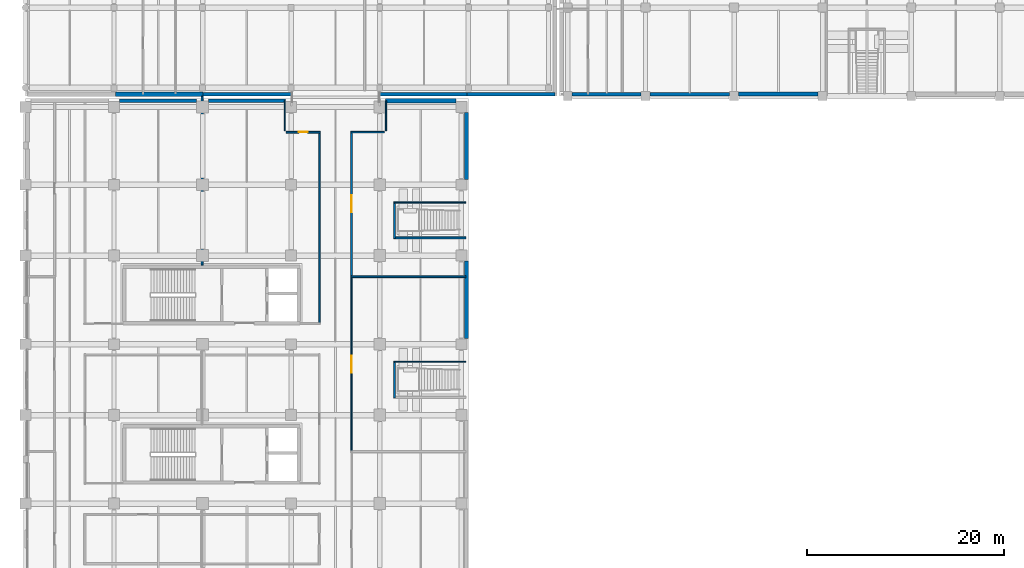
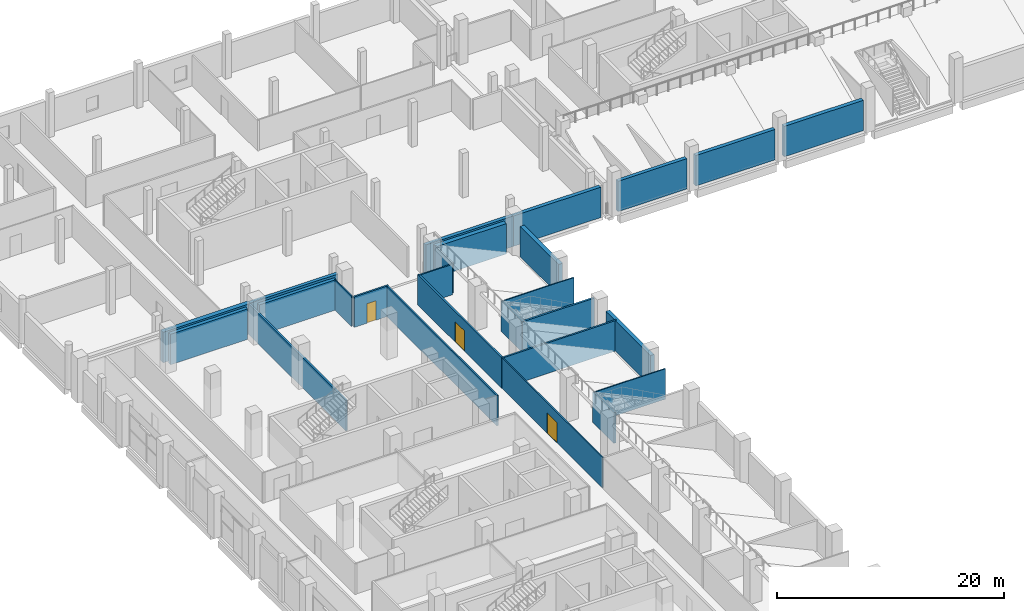
# One storey, part 58 of 100: 26 walls, 3 doors, 3 openings.
"""IFC4 building model written with IfcOpenShell, lengths in metres."""

from ifc_helpers import new_model, si_unit, direction, frame, frame_2d, origin, place, context, subcontext, project, spatial, rectangle, extrude, material, layer, layer_set, type_object, element, fill, save


model = new_model("IFC4")

# Units and contexts
model_context = context("Model", 3, precision=1e-05, world=origin(), true_north=direction((0.0, 1.0)))
body_context = subcontext(model_context, "Body", "Model", "MODEL_VIEW")
ifc_project = project(units=[si_unit("LENGTHUNIT", "METRE"), si_unit("AREAUNIT", "SQUARE_METRE"), si_unit("VOLUMEUNIT", "CUBIC_METRE"), si_unit("PLANEANGLEUNIT", "RADIAN"), si_unit("MASSUNIT", "GRAM", prefix="KILO"), si_unit("THERMODYNAMICTEMPERATUREUNIT", "KELVIN"), si_unit("POWERUNIT", "WATT")], contexts=[model_context])

# Site, building, storey
site_placement = place(None, origin())
site = spatial("IfcSite", under=ifc_project, at=site_placement, CompositionType="ELEMENT")
building_placement = place(site_placement, origin())
building = spatial("IfcBuilding", under=site, at=building_placement, Name="Sindhuravela Promenade Stadium", CompositionType="ELEMENT")
storey_placement = place(building_placement, frame((0.0, 0.0, 4.800048828125)))
storey = spatial("IfcBuildingStorey", under=building, at=storey_placement, Name="L01", CompositionType="ELEMENT", Elevation=4.800048828125)

# Walls
ifc_material_1 = material(Name="Terracotta clay brick masonry (15 MPa)", Category="masonry")
ifc_layer_1 = layer(ifc_material_1, 0.340087890625)
ifc_layer_set_1 = layer_set([ifc_layer_1], Name="Terracotta clay brick masonry (15 MPa)")
wall_type_1 = type_object("IfcWallType", Name="EX-WL-BRK340", PredefinedType="SOLIDWALL", material=ifc_layer_set_1)
wall_1_placement = place(storey_placement, frame((18.60498046875, 125.550048828125, 0.0), z_axis=(0.0, 0.0, 1.0), x_axis=(1.0, 0.0, 0.0)))
element("IfcWall", 1, at=wall_1_placement, inside=storey, type_object=wall_type_1, Name="Exterior masonry wall EW06 WEST L01", PredefinedType="SOLIDWALL", context=body_context, shape_type="SweptSolid", body=[
    extrude(rectangle(XDim=7.840087890625, YDim=0.340087890625, at=frame_2d((3.919921875, 0.0))), origin(), (0.0, 0.0, 1.0), 3.280029296875),
])
wall_2_placement = place(storey_placement, frame((27.0, 126.199951171875, 0.0), z_axis=(0.0, 0.0, 1.0), x_axis=(-1.0, 0.0, 0.0)))
element("IfcWall", 2, at=wall_2_placement, inside=storey, type_object=wall_type_1, Name="Exterior masonry wall EW06 Pavilion NW L01", PredefinedType="SOLIDWALL", context=body_context, shape_type="SweptSolid", body=[
    extrude(rectangle(XDim=8.933349609375, YDim=0.340087890625, at=frame_2d((4.466796875, 0.0))), origin(), (0.0, 0.0, 1.0), 3.280029296875),
])
ifc_layer_2 = layer(ifc_material_1, 0.360107421875)
ifc_layer_set_2 = layer_set([ifc_layer_2], Name="Terracotta clay brick masonry (15 MPa)")
wall_type_2 = type_object("IfcWallType", Name="EX-WL-BRK360", PredefinedType="SOLIDWALL", material=ifc_layer_set_2)
wall_3_placement = place(storey_placement, frame((9.554931640625, 125.550048828125, 0.0), z_axis=(0.0, 0.0, 1.0), x_axis=(1.0, 0.0, 0.0)))
element("IfcWall", 3, at=wall_3_placement, inside=storey, type_object=wall_type_2, Name="Exterior masonry wall EW05 WEST L01", PredefinedType="SOLIDWALL", context=body_context, shape_type="SweptSolid", body=[
    extrude(rectangle(XDim=7.840087890625, YDim=0.360107421875, at=frame_2d((3.919921875, 0.0))), origin(), (0.0, 0.0, 1.0), 3.280029296875),
])
wall_4_placement = place(storey_placement, frame((62.544921875, 126.199951171875, 0.0), z_axis=(0.0, 0.0, 1.0), x_axis=(-1.0, 0.0, 0.0)))
element("IfcWall", 4, at=wall_4_placement, inside=storey, type_object=wall_type_2, Name="Exterior masonry wall EW05 NORTH L01", PredefinedType="SOLIDWALL", context=body_context, shape_type="SweptSolid", body=[
    extrude(rectangle(XDim=6.989990234375, YDim=0.360107421875, at=frame_2d((3.4951171875, 0.0))), origin(), (0.0, 0.0, 1.0), 3.280029296875),
])
wall_5_placement = place(storey_placement, frame((44.86669921875, 126.199951171875, 0.0), z_axis=(0.0, 0.0, 1.0), x_axis=(-1.0, 0.0, 0.0)))
element("IfcWall", 5, at=wall_5_placement, inside=storey, type_object=wall_type_2, Name="Exterior masonry wall EW05 Pavilion NW L01", PredefinedType="SOLIDWALL", context=body_context, shape_type="SweptSolid", body=[
    extrude(rectangle(XDim=8.933349609375, YDim=0.360107421875, at=frame_2d((4.466796875, 0.0))), origin(), (0.0, 0.0, 1.0), 3.280029296875),
])
ifc_layer_3 = layer(ifc_material_1, 0.3798828125)
ifc_layer_set_3 = layer_set([ifc_layer_3], Name="Terracotta clay brick masonry (15 MPa)")
wall_type_3 = type_object("IfcWallType", Name="EX-WL-BRK380", PredefinedType="SOLIDWALL", material=ifc_layer_set_3)
wall_6_placement = place(storey_placement, frame((71.544921875, 126.199951171875, 0.0), z_axis=(0.0, 0.0, 1.0), x_axis=(-1.0, 0.0, 0.0)))
element("IfcWall", 6, at=wall_6_placement, inside=storey, type_object=wall_type_3, Name="Exterior masonry wall EW04 NORTH L01", PredefinedType="SOLIDWALL", context=body_context, shape_type="SweptSolid", body=[
    extrude(rectangle(XDim=8.08984375, YDim=0.3798828125, at=frame_2d((4.044921875, 0.0))), origin(), (0.0, 0.0, 1.0), 3.280029296875),
])
wall_7_placement = place(storey_placement, frame((53.800048828125, 126.199951171875, 0.0), z_axis=(0.0, 0.0, 1.0), x_axis=(-1.0, 0.0, 0.0)))
element("IfcWall", 7, at=wall_7_placement, inside=storey, type_object=wall_type_3, Name="Exterior masonry wall EW04 Pavilion NW L01", PredefinedType="SOLIDWALL", context=body_context, shape_type="SweptSolid", body=[
    extrude(rectangle(XDim=8.933349609375, YDim=0.3798828125, at=frame_2d((4.466796875, 0.0))), origin(), (0.0, 0.0, 1.0), 3.280029296875),
])
ifc_layer_4 = layer(ifc_material_1, 0.39990234375)
ifc_layer_set_4 = layer_set([ifc_layer_4], Name="Terracotta clay brick masonry (15 MPa)")
wall_type_4 = type_object("IfcWallType", Name="EX-WL-BRK400", PredefinedType="SOLIDWALL", material=ifc_layer_set_4)
wall_8_placement = place(storey_placement, frame((44.800048828125, 109.2451171875, 0.0), z_axis=(0.0, 0.0, 1.0), x_axis=(0.0, -1.0, 0.0)))
element("IfcWall", 8, at=wall_8_placement, inside=storey, type_object=wall_type_4, Name="Exterior masonry wall EW03 WEST L01", PredefinedType="SOLIDWALL", context=body_context, shape_type="SweptSolid", body=[
    extrude(rectangle(XDim=7.89013671875, YDim=0.39990234375, at=frame_2d((3.945068359375, 0.0))), origin(), (0.0, 0.0, 1.0), 3.280029296875),
])
wall_9_placement = place(storey_placement, frame((80.544921875, 126.199951171875, 0.0), z_axis=(0.0, 0.0, 1.0), x_axis=(-1.0, 0.0, 0.0)))
element("IfcWall", 9, at=wall_9_placement, inside=storey, type_object=wall_type_4, Name="Exterior masonry wall EW03 NORTH L01", PredefinedType="SOLIDWALL", context=body_context, shape_type="SweptSolid", body=[
    extrude(rectangle(XDim=8.08984375, YDim=0.39990234375, at=frame_2d((4.044921875, 0.0))), origin(), (0.0, 0.0, 1.0), 3.280029296875),
])
ifc_layer_5 = layer(ifc_material_1, 0.419921875)
ifc_layer_set_5 = layer_set([ifc_layer_5], Name="Terracotta clay brick masonry (15 MPa)")
wall_type_5 = type_object("IfcWallType", Name="EX-WL-BRK420", PredefinedType="SOLIDWALL", material=ifc_layer_set_5)
wall_10_placement = place(storey_placement, frame((44.800048828125, 124.344970703125, 0.0), z_axis=(0.0, 0.0, 1.0), x_axis=(0.0, -1.0, 0.0)))
element("IfcWall", 10, at=wall_10_placement, inside=storey, type_object=wall_type_5, Name="Exterior masonry wall EW02 WEST L01", PredefinedType="SOLIDWALL", context=body_context, shape_type="SweptSolid", body=[
    extrude(rectangle(XDim=6.7900390625, YDim=0.419921875, at=frame_2d((3.39501953125, 0.0))), origin(), (0.0, 0.0, 1.0), 3.280029296875),
])
ifc_layer_6 = layer(ifc_material_1, 0.4599609375)
ifc_layer_set_6 = layer_set([ifc_layer_6], Name="Terracotta clay brick masonry (15 MPa)")
wall_type_6 = type_object("IfcWallType", Name="EX-WL-BRK460", PredefinedType="SOLIDWALL", material=ifc_layer_set_6)
wall_11_placement = place(storey_placement, frame((36.60498046875, 125.550048828125, 0.0), z_axis=(0.0, 0.0, 1.0), x_axis=(1.0, 0.0, 0.0)))
element("IfcWall", 11, at=wall_11_placement, inside=storey, type_object=wall_type_6, Name="Exterior masonry wall EW01 WEST L01", PredefinedType="SOLIDWALL", context=body_context, shape_type="SweptSolid", body=[
    extrude(rectangle(XDim=7.14013671875, YDim=0.4599609375, at=frame_2d((3.570068359375, 0.0))), origin(), (0.0, 0.0, 1.0), 3.280029296875),
])
wall_12_placement = place(storey_placement, frame((18.066650390625, 126.199951171875, 0.0), z_axis=(0.0, 0.0, 1.0), x_axis=(-1.0, 0.0, 0.0)))
element("IfcWall", 12, at=wall_12_placement, inside=storey, type_object=wall_type_6, Name="Exterior masonry wall EW01 Pavilion NW L01", PredefinedType="SOLIDWALL", context=body_context, shape_type="SweptSolid", body=[
    extrude(rectangle(XDim=8.933349609375, YDim=0.4599609375, at=frame_2d((4.466796875, 0.0))), origin(), (0.0, 0.0, 1.0), 3.280029296875),
])
ifc_material_2 = material(Name="Fire-rated gypsum partition board", Category="gypsum")
ifc_layer_7 = layer(ifc_material_2, 0.110107421875)
ifc_layer_set_7 = layer_set([ifc_layer_7], Name="Fire-rated gypsum partition board")
wall_type_7 = type_object("IfcWallType", Name="IN-WL-PAR110", PredefinedType="PARTITIONING", material=ifc_layer_set_7)
wall_13_placement = place(storey_placement, frame((26.360107421875, 125.510009765625, 0.0), z_axis=(0.0, 0.0, 1.0), x_axis=(0.0, -1.0, 0.0)))
element("IfcWall", 13, at=wall_13_placement, inside=storey, type_object=wall_type_7, Name="Interior partition IW06 WEST L01", PredefinedType="PARTITIONING", context=body_context, shape_type="SweptSolid", body=[
    extrude(rectangle(XDim=3.010009765625, YDim=0.110107421875, at=frame_2d((1.5048828125, 0.0))), origin(), (0.0, 0.0, 1.0), 3.280029296875),
])
for number, where, z_axis, x_axis, name in (
    (14, (44.760009765625, 99.0, 0.0), (0.0, 0.0, 1.0), (-1.0, 0.0, 0.0), "Interior partition IW06 WEST L01"),
    (15, (44.760009765625, 115.199951171875, 0.0), (0.0, 0.0, 1.0), (-1.0, 0.0, 0.0), "Interior partition IW06 WEST L01"),
):
    element("IfcWall", number, at=place(storey_placement, frame(where, z_axis=z_axis, x_axis=x_axis)), inside=storey, type_object=wall_type_7, Name=name, PredefinedType="PARTITIONING", context=body_context, shape_type="SweptSolid", body=[
        extrude(rectangle(XDim=7.340087890625, YDim=0.110107421875, at=frame_2d((3.669921875, 0.0))), origin(), (0.0, 0.0, 1.0), 3.280029296875),
    ])

# Wall, opening, door
ifc_layer_8 = layer(ifc_material_2, 0.1298828125)
ifc_layer_set_8 = layer_set([ifc_layer_8], Name="Fire-rated gypsum partition board")
wall_type_8 = type_object("IfcWallType", Name="IN-WL-PAR130", PredefinedType="PARTITIONING", material=ifc_layer_set_8)
wall_14_placement = place(storey_placement, frame((33.139892578125, 107.657958984375, 0.0), z_axis=(0.0, 0.0, 1.0), x_axis=(0.0, -1.0, 0.0)))
wall_14 = element("IfcWall", 16, at=wall_14_placement, inside=storey, type_object=wall_type_8, Name="Corridor partition IW05 Spectator First Aid Room L01", PredefinedType="PARTITIONING", context=body_context, shape_type="SweptSolid", body=[
    extrude(rectangle(XDim=17.77197265625, YDim=0.1298828125, at=frame_2d((8.885986328125, 0.0))), origin(), (0.0, 0.0, 1.0), 3.280029296875),
])
opening_1_placement = place(wall_14_placement, frame((8.035888671875, 0.0, 0.0)))
opening_1 = element("IfcOpeningElement", 17, at=opening_1_placement, cuts=wall_14, Name="Opening ID01", PredefinedType="OPENING", context=body_context, shape_type="SweptSolid", body=[
    extrude(rectangle(XDim=1.699951171875, YDim=2.199951171875, at=frame_2d((0.85009765625, 1.10009765625))), frame((0.0, 0.074951171875, 0.0), z_axis=(0.0, -1.0, 0.0), x_axis=(1.0, 0.0, 0.0)), (0.0, 0.0, 1.0), 0.14990234375),
])
ifc_material_3 = material(Name="Architectural teak timber leaf", Category="wood")
door_type_1 = type_object("IfcDoorType", Name="DR-INT-1700x2200", OperationType="DOUBLE_DOOR_SINGLE_SWING", PredefinedType="DOOR", material=ifc_material_3)
door_1_placement = place(opening_1_placement, origin())
door_1 = element("IfcDoor", 18, at=door_1_placement, inside=storey, type_object=door_type_1, Name="Spectator First Aid Room L01 door", OperationType="DOUBLE_DOOR_SINGLE_SWING", OverallHeight=2.199951171875, OverallWidth=1.699951171875, PredefinedType="DOOR", context=body_context, shape_type="SweptSolid", body=[
    extrude(rectangle(XDim=1.699951171875, YDim=2.199951171875, at=frame_2d((0.85009765625, 1.10009765625))), frame((0.0, 0.02490234375, 0.0), z_axis=(0.0, -1.0, 0.0), x_axis=(1.0, 0.0, 0.0)), (0.0, 0.0, 1.0), 0.050048828125),
])
fill(opening_1, door_1)

# Walls
wall_15_placement = place(storey_placement, frame((36.639892578125, 122.5, 0.0), z_axis=(0.0, 0.0, 1.0), x_axis=(0.0, 1.0, 0.0)))
element("IfcWall", 19, at=wall_15_placement, inside=storey, type_object=wall_type_8, Name="Interior partition IW05 WEST L01", PredefinedType="PARTITIONING", context=body_context, shape_type="SweptSolid", body=[
    extrude(rectangle(XDim=3.010009765625, YDim=0.1298828125, at=frame_2d((1.5048828125, 0.0))), origin(), (0.0, 0.0, 1.0), 3.280029296875),
])
ifc_layer_9 = layer(ifc_material_2, 0.14990234375)
ifc_layer_set_9 = layer_set([ifc_layer_9], Name="Fire-rated gypsum partition board")
wall_type_9 = type_object("IfcWallType", Name="IN-WL-PAR150", PredefinedType="PARTITIONING", material=ifc_layer_set_9)
wall_16_placement = place(storey_placement, frame((29.860107421875, 122.419921875, 0.0), z_axis=(0.0, 0.0, 1.0), x_axis=(0.0, -1.0, 0.0)))
element("IfcWall", 20, at=wall_16_placement, inside=storey, type_object=wall_type_9, Name="Interior partition IW04 WEST L01", PredefinedType="PARTITIONING", context=body_context, shape_type="SweptSolid", body=[
    extrude(rectangle(XDim=19.60986328125, YDim=0.14990234375, at=frame_2d((9.804931640625, 0.0))), origin(), (0.0, 0.0, 1.0), 3.280029296875),
])
wall_17_placement = place(storey_placement, frame((33.06005859375, 122.340087890625, 0.0), z_axis=(0.0, 0.0, 1.0), x_axis=(1.0, 0.0, 0.0)))
element("IfcWall", 21, at=wall_17_placement, inside=storey, type_object=wall_type_9, Name="Interior partition IW04 WEST L01", PredefinedType="PARTITIONING", context=body_context, shape_type="SweptSolid", body=[
    extrude(rectangle(XDim=3.419921875, YDim=0.14990234375, at=frame_2d((1.7099609375, 0.0))), origin(), (0.0, 0.0, 1.0), 3.280029296875),
])

# Wall, opening, door
ifc_layer_10 = layer(ifc_material_2, 0.175048828125)
ifc_layer_set_10 = layer_set([ifc_layer_10], Name="Fire-rated gypsum partition board")
wall_type_10 = type_object("IfcWallType", Name="IN-WL-PAR175", PredefinedType="PARTITIONING", material=ifc_layer_set_10)
wall_18_placement = place(storey_placement, frame((29.97998046875, 122.340087890625, 0.0), z_axis=(0.0, 0.0, 1.0), x_axis=(-1.0, 0.0, 0.0)))
wall_18 = element("IfcWall", 22, at=wall_18_placement, inside=storey, type_object=wall_type_10, Name="Corridor partition IW03 Supporters Refreshment Kiosk W2", PredefinedType="PARTITIONING", context=body_context, shape_type="SweptSolid", body=[
    extrude(rectangle(XDim=3.5, YDim=0.175048828125, at=frame_2d((1.75, 0.0))), origin(), (0.0, 0.0, 1.0), 3.280029296875),
])
opening_2_placement = place(wall_18_placement, frame((1.27490234375, 0.0, 0.0)))
opening_2 = element("IfcOpeningElement", 23, at=opening_2_placement, cuts=wall_18, Name="Opening ID09", PredefinedType="OPENING", context=body_context, shape_type="SweptSolid", body=[
    extrude(rectangle(XDim=0.949951171875, YDim=2.10009765625, at=frame_2d((0.47509765625, 1.050048828125))), frame((0.0, 0.097412109375, 0.0), z_axis=(0.0, -1.0, 0.0), x_axis=(1.0, 0.0, 0.0)), (0.0, 0.0, 1.0), 0.195068359375),
])
door_type_2 = type_object("IfcDoorType", Name="DR-INT-950x2100", OperationType="NOTDEFINED", PredefinedType="DOOR", material=ifc_material_3)
door_2_placement = place(opening_2_placement, origin())
door_2 = element("IfcDoor", 24, at=door_2_placement, inside=storey, type_object=door_type_2, Name="Supporters Refreshment Kiosk W2 door", OperationType="SINGLE_SWING_LEFT", OverallHeight=2.10009765625, OverallWidth=0.949951171875, PredefinedType="DOOR", context=body_context, shape_type="SweptSolid", body=[
    extrude(rectangle(XDim=0.949951171875, YDim=2.10009765625, at=frame_2d((0.47509765625, 1.050048828125))), frame((0.0, 0.02490234375, 0.0), z_axis=(0.0, -1.0, 0.0), x_axis=(1.0, 0.0, 0.0)), (0.0, 0.0, 1.0), 0.050048828125),
])
fill(opening_2, door_2)

# Wall
wall_19_placement = place(storey_placement, frame((33.06005859375, 107.657958984375, 0.0), z_axis=(0.0, 0.0, 1.0), x_axis=(1.0, 0.0, 0.0)))
element("IfcWall", 25, at=wall_19_placement, inside=storey, type_object=wall_type_10, Name="Interior partition IW03 WEST L01", PredefinedType="PARTITIONING", context=body_context, shape_type="SweptSolid", body=[
    extrude(rectangle(XDim=11.699951171875, YDim=0.175048828125, at=frame_2d((5.85009765625, 0.0))), origin(), (0.0, 0.0, 1.0), 3.280029296875),
])

# Wall, opening, door
wall_20_placement = place(storey_placement, frame((33.139892578125, 122.4599609375, 0.0), z_axis=(0.0, 0.0, 1.0), x_axis=(0.0, -1.0, 0.0)))
wall_20 = element("IfcWall", 26, at=wall_20_placement, inside=storey, type_object=wall_type_10, Name="Corridor partition IW03 West Lower Concourse Hall 2", PredefinedType="PARTITIONING", context=body_context, shape_type="SweptSolid", body=[
    extrude(rectangle(XDim=14.802001953125, YDim=0.175048828125, at=frame_2d((7.40087890625, 0.0))), origin(), (0.0, 0.0, 1.0), 3.280029296875),
])
opening_3_placement = place(wall_20_placement, frame((6.551025390625, 0.0, 0.0)))
opening_3 = element("IfcOpeningElement", 27, at=opening_3_placement, cuts=wall_20, Name="Opening ID01", PredefinedType="OPENING", context=body_context, shape_type="SweptSolid", body=[
    extrude(rectangle(XDim=1.699951171875, YDim=2.199951171875, at=frame_2d((0.85009765625, 1.10009765625))), frame((0.0, 0.097412109375, 0.0), z_axis=(0.0, -1.0, 0.0), x_axis=(1.0, 0.0, 0.0)), (0.0, 0.0, 1.0), 0.195068359375),
])
door_3_placement = place(opening_3_placement, origin())
door_3 = element("IfcDoor", 28, at=door_3_placement, inside=storey, type_object=door_type_1, Name="West Lower Concourse Hall 2 door", OperationType="DOUBLE_DOOR_SINGLE_SWING", OverallHeight=2.199951171875, OverallWidth=1.699951171875, PredefinedType="DOOR", context=body_context, shape_type="SweptSolid", body=[
    extrude(rectangle(XDim=1.699951171875, YDim=2.199951171875, at=frame_2d((0.85009765625, 1.10009765625))), frame((0.0, 0.02490234375, 0.0), z_axis=(0.0, -1.0, 0.0), x_axis=(1.0, 0.0, 0.0)), (0.0, 0.0, 1.0), 0.050048828125),
])
fill(opening_3, door_3)

# Walls
ifc_layer_11 = layer(ifc_material_2, 0.195068359375)
ifc_layer_set_11 = layer_set([ifc_layer_11], Name="Fire-rated gypsum partition board")
wall_type_11 = type_object("IfcWallType", Name="IN-WL-PAR195", PredefinedType="PARTITIONING", material=ifc_layer_set_11)
wall_21_placement = place(storey_placement, frame((17.949951171875, 125.967041015625, 0.0), z_axis=(0.0, 0.0, 1.0), x_axis=(0.0, -1.0, 0.0)))
element("IfcWall", 29, at=wall_21_placement, inside=storey, type_object=wall_type_11, Name="Interior partition IW02 WEST L01", PredefinedType="PARTITIONING", context=body_context, shape_type="SweptSolid", body=[
    extrude(rectangle(XDim=17.14013671875, YDim=0.195068359375, at=frame_2d((8.570068359375, 0.0))), origin(), (0.0, 0.0, 1.0), 3.280029296875),
])
wall_22_placement = place(storey_placement, frame((37.419921875, 111.60009765625, 0.0), z_axis=(0.0, 0.0, 1.0), x_axis=(1.0, 0.0, 0.0)))
element("IfcWall", 30, at=wall_22_placement, inside=storey, type_object=wall_type_11, Name="Interior partition IW02 WEST L01", PredefinedType="PARTITIONING", context=body_context, shape_type="SweptSolid", body=[
    extrude(rectangle(XDim=7.340087890625, YDim=0.195068359375, at=frame_2d((3.669921875, 0.0))), origin(), (0.0, 0.0, 1.0), 3.280029296875),
])
ifc_layer_12 = layer(ifc_material_2, 0.219970703125)
ifc_layer_set_12 = layer_set([ifc_layer_12], Name="Fire-rated gypsum partition board")
wall_type_12 = type_object("IfcWallType", Name="IN-WL-PAR220", PredefinedType="PARTITIONING", material=ifc_layer_set_12)
for number, where, z_axis, x_axis, name in (
    (31, (37.5, 99.080078125, 0.0), (0.0, 0.0, 1.0), (0.0, -1.0, 0.0), "Interior partition IW01 WEST L01"),
    (32, (37.5, 115.280029296875, 0.0), (0.0, 0.0, 1.0), (0.0, -1.0, 0.0), "Interior partition IW01 WEST L01"),
):
    element("IfcWall", number, at=place(storey_placement, frame(where, z_axis=z_axis, x_axis=x_axis)), inside=storey, type_object=wall_type_12, Name=name, PredefinedType="PARTITIONING", context=body_context, shape_type="SweptSolid", body=[
        extrude(rectangle(XDim=3.760009765625, YDim=0.219970703125, at=frame_2d((1.8798828125, 0.0))), origin(), (0.0, 0.0, 1.0), 3.280029296875),
    ])

save(model, "model.ifc")
